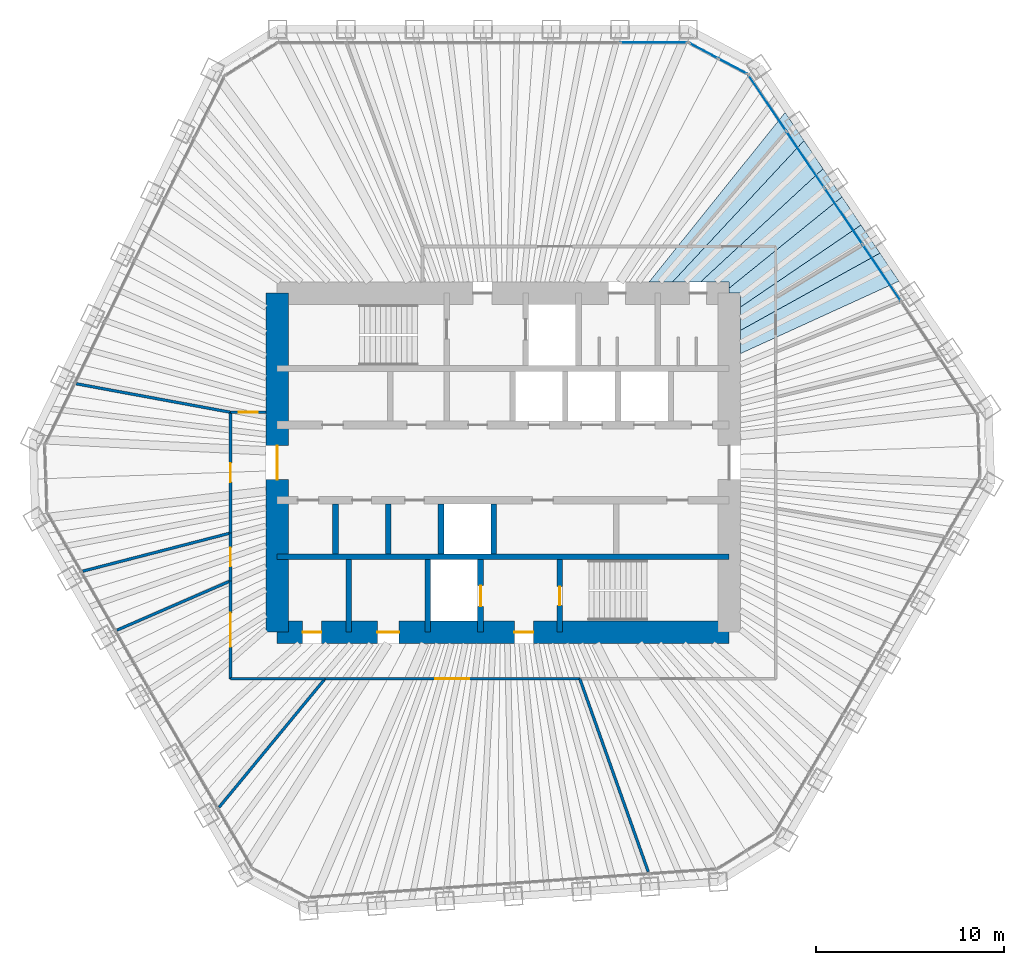
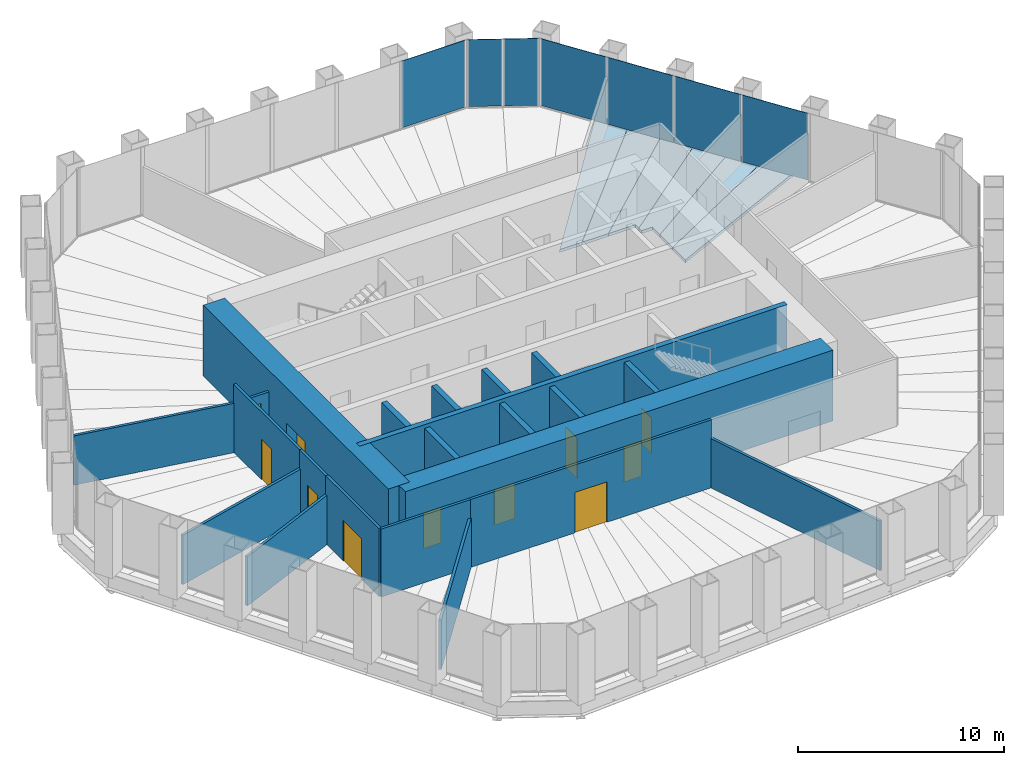
# One storey, part 10 of 13: 22 walls, 11 doors, 7 plates, 6 slabs, 11 openings, 3 elements without a shape of their own.
"""IFC4 building model written with IfcOpenShell, lengths in metres."""

from ifc_helpers import new_model, si_unit, direction, frame, frame_2d, origin, origin_2d, place, context, subcontext, project, spatial, polyline, rectangle, outline, extrude, material, layer, layer_set, type_object, element, fill, aggregate, save


model = new_model("IFC4")

# Units and contexts
model_context = context("Model", 3, precision=1e-05, world=origin(), true_north=direction((0.0, 1.0)))
body_context = subcontext(model_context, "Body", "Model", "MODEL_VIEW")
ifc_project = project(units=[si_unit("LENGTHUNIT", "METRE"), si_unit("AREAUNIT", "SQUARE_METRE"), si_unit("VOLUMEUNIT", "CUBIC_METRE"), si_unit("PLANEANGLEUNIT", "RADIAN"), si_unit("MASSUNIT", "GRAM", prefix="KILO")], contexts=[model_context])

# Site, building, storey
site_placement = place(None, origin())
site = spatial("IfcSite", under=ifc_project, at=site_placement, CompositionType="ELEMENT")
building_placement = place(site_placement, origin())
building = spatial("IfcBuilding", under=site, at=building_placement, Name="Qingtian Harvest Tower", CompositionType="ELEMENT")
storey_placement = place(building_placement, frame((0.0, 0.0, 247.60009765625)))
storey = spatial("IfcBuildingStorey", under=building, at=storey_placement, Name="L54", CompositionType="ELEMENT", Elevation=247.60009765625)

# Slabs
ifc_material_1 = material(Name="Concrete fc' 35 MPa", Category="concrete")
ifc_layer_1 = layer(ifc_material_1, 0.169921875)
ifc_layer_set_1 = layer_set([ifc_layer_1], Name="Composite floor slab FS17 170")
slab_type = type_object("IfcSlabType", Name="Composite floor slab FS17 170", PredefinedType="FLOOR", material=ifc_layer_set_1)
slab_1_placement = place(storey_placement, frame((0.0, 0.0, -0.170166015625)))
element("IfcSlab", 1, at=slab_1_placement, inside=storey, type_object=slab_type, Name="Floor slab L54 panel D45", PredefinedType="FLOOR", context=body_context, shape_type="SweptSolid", body=[
    extrude(outline(polyline([(12.60009765625, 7.023681640625), (20.003662109375, 11.125244140625), (21.010986328125, 9.6318359375), (12.60009765625, 5.7900390625), (12.60009765625, 7.023681640625)])), origin(), (0.0, 0.0, 1.0), 0.170166015625),
])
slab_2_placement = place(storey_placement, frame((0.0, 0.0, -0.170166015625)))
element("IfcSlab", 2, at=slab_2_placement, inside=storey, type_object=slab_type, Name="Floor slab L54 panel D46", PredefinedType="FLOOR", context=body_context, shape_type="SweptSolid", body=[
    extrude(outline(polyline([(12.60009765625, 8.260498046875), (18.997802734375, 12.61669921875), (20.003662109375, 11.125244140625), (12.60009765625, 7.023681640625), (12.60009765625, 8.260498046875)])), origin(), (0.0, 0.0, 1.0), 0.170166015625),
])
slab_3_placement = place(storey_placement, frame((0.0, 0.0, -0.170166015625)))
element("IfcSlab", 3, at=slab_3_placement, inside=storey, type_object=slab_type, Name="Floor slab L54 panel D47", PredefinedType="FLOOR", context=body_context, shape_type="SweptSolid", body=[
    extrude(outline(polyline([(12.60009765625, 9.0), (12.0, 9.0), (12.0, 9.2666015625), (17.99072265625, 14.109375), (18.997802734375, 12.61669921875), (12.60009765625, 8.260498046875), (12.60009765625, 9.0)])), origin(), (0.0, 0.0, 1.0), 0.170166015625),
])
slab_4_placement = place(storey_placement, frame((0.0, 0.0, -0.170166015625)))
element("IfcSlab", 4, at=slab_4_placement, inside=storey, type_object=slab_type, Name="Floor slab L54 panel D48", PredefinedType="FLOOR", context=body_context, shape_type="SweptSolid", body=[
    extrude(outline(polyline([(12.0, 9.60009765625), (10.48583984375, 9.60009765625), (16.982177734375, 15.604736328125), (17.99072265625, 14.109375), (12.0, 9.2666015625), (12.0, 9.60009765625)])), origin(), (0.0, 0.0, 1.0), 0.170166015625),
])
slab_5_placement = place(storey_placement, frame((0.0, 0.0, -0.170166015625)))
element("IfcSlab", 5, at=slab_5_placement, inside=storey, type_object=slab_type, Name="Floor slab L54 panel D49", PredefinedType="FLOOR", context=body_context, shape_type="SweptSolid", body=[
    extrude(outline(polyline([(8.998291015625, 9.60009765625), (15.974853515625, 17.098388671875), (16.982177734375, 15.604736328125), (10.48583984375, 9.60009765625), (8.998291015625, 9.60009765625)])), origin(), (0.0, 0.0, 1.0), 0.170166015625),
])
slab_6_placement = place(storey_placement, frame((0.0, 0.0, -0.170166015625)))
element("IfcSlab", 6, at=slab_6_placement, inside=storey, type_object=slab_type, Name="Floor slab L54 panel D50", PredefinedType="FLOOR", context=body_context, shape_type="SweptSolid", body=[
    extrude(outline(polyline([(7.751220703125, 9.60009765625), (14.967529296875, 18.591796875), (15.974853515625, 17.098388671875), (8.998291015625, 9.60009765625), (7.751220703125, 9.60009765625)])), origin(), (0.0, 0.0, 1.0), 0.170166015625),
])

# Curtain wall, plate
ifc_material_2 = material(Name="Bronze-anodised aluminium curtain wall", Category="aluminium")
curtain_wall_type = type_object("IfcCurtainWallType", Name="Curtain wall CW4 office", PredefinedType="USERDEFINED", material=ifc_material_2)
curtain_wall_1_placement = place(storey_placement, origin())
curtain_wall_1 = element("IfcCurtainWall", 7, at=curtain_wall_1_placement, inside=storey, type_object=curtain_wall_type, Name="Curtain wall CW4 L54 N0-5", ObjectType="RECESSED CURTAIN WALL", PredefinedType="USERDEFINED")
ifc_material_3 = material(Name="Bronze-tinted laminated insulating glass", Category="glass")
ifc_layer_2 = layer(ifc_material_3, 0.030029296875)
ifc_layer_set_2 = layer_set([ifc_layer_2], Name="Glazed panel CWP tinted IGU")
plate_type = type_object("IfcPlateType", Name="Glazed panel CWP tinted IGU", PredefinedType="CURTAIN_PANEL", material=ifc_layer_set_2)
plate_1_placement = place(storey_placement, frame((7.996337890625, 22.300048828125, 0.06494140625), z_axis=(0.0, 0.0, 1.0), x_axis=(1.0, 0.0, 0.0)))
plate_1 = element("IfcPlate", 8, at=plate_1_placement, type_object=plate_type, Name="CW4 panel 6.1", PredefinedType="CURTAIN_PANEL", context=body_context, shape_type="SweptSolid", body=[
    extrude(rectangle(XDim=3.5361328125, YDim=0.030029296875, at=origin_2d()), origin(), (0.0, 0.0, 1.0), 3.965087890625),
])
aggregate(curtain_wall_1, [plate_1])

# Curtain wall, plates
curtain_wall_2_placement = place(storey_placement, origin())
curtain_wall_2 = element("IfcCurtainWall", 9, at=curtain_wall_2_placement, inside=storey, type_object=curtain_wall_type, Name="Curtain wall CW4 L54 NC", ObjectType="RECESSED CURTAIN WALL", PredefinedType="USERDEFINED")
plate_2_placement = place(storey_placement, frame((10.634033203125, 21.8720703125, 0.06494140625), z_axis=(0.0, 0.0, 1.0), x_axis=(0.882947592859, -0.469471562786, 0.0)))
plate_2 = element("IfcPlate", 10, at=plate_2_placement, type_object=plate_type, Name="CW4 panel 1.1", PredefinedType="CURTAIN_PANEL", context=body_context, shape_type="SweptSolid", body=[
    extrude(rectangle(XDim=1.69287109375, YDim=0.030029296875, at=origin_2d()), origin(), (0.0, 0.0, 1.0), 3.965087890625),
])
plate_3_placement = place(storey_placement, frame((12.186279296875, 21.046875, 0.06494140625), z_axis=(0.0, 0.0, 1.0), x_axis=(0.882947592859, -0.469471562786, 0.0)))
plate_3 = element("IfcPlate", 11, at=plate_3_placement, type_object=plate_type, Name="CW4 panel 2.1", PredefinedType="CURTAIN_PANEL", context=body_context, shape_type="SweptSolid", body=[
    extrude(rectangle(XDim=1.69287109375, YDim=0.030029296875, at=origin_2d()), origin(), (0.0, 0.0, 1.0), 3.965087890625),
])
aggregate(curtain_wall_2, [plate_2, plate_3])

curtain_wall_3_placement = place(storey_placement, origin())
curtain_wall_3 = element("IfcCurtainWall", 12, at=curtain_wall_3_placement, inside=storey, type_object=curtain_wall_type, Name="Curtain wall CW4 L54 NE0-5", ObjectType="RECESSED CURTAIN WALL", PredefinedType="USERDEFINED")
plate_4_placement = place(storey_placement, frame((14.01611328125, 19.09912109375, 0.06494140625), z_axis=(0.0, 0.0, 1.0), x_axis=(0.559192903471, -0.829037572555, 0.0)))
plate_4 = element("IfcPlate", 13, at=plate_4_placement, type_object=plate_type, Name="CW4 panel 1.1", PredefinedType="CURTAIN_PANEL", context=body_context, shape_type="SweptSolid", body=[
    extrude(rectangle(XDim=3.5361328125, YDim=0.030029296875, at=origin_2d()), origin(), (0.0, 0.0, 1.0), 3.965087890625),
])
plate_5_placement = place(storey_placement, frame((16.038818359375, 16.100341796875, 0.06494140625), z_axis=(0.0, 0.0, 1.0), x_axis=(0.559192903471, -0.829037572555, 0.0)))
plate_5 = element("IfcPlate", 14, at=plate_5_placement, type_object=plate_type, Name="CW4 panel 2.1", PredefinedType="CURTAIN_PANEL", context=body_context, shape_type="SweptSolid", body=[
    extrude(rectangle(XDim=3.568603515625, YDim=0.030029296875, at=origin_2d()), origin(), (0.0, 0.0, 1.0), 3.965087890625),
])
plate_6_placement = place(storey_placement, frame((18.07080078125, 13.087890625, 0.06494140625), z_axis=(0.0, 0.0, 1.0), x_axis=(0.559192903471, -0.829037572555, 0.0)))
plate_6 = element("IfcPlate", 15, at=plate_6_placement, type_object=plate_type, Name="CW4 panel 3.1", PredefinedType="CURTAIN_PANEL", context=body_context, shape_type="SweptSolid", body=[
    extrude(rectangle(XDim=3.568603515625, YDim=0.030029296875, at=origin_2d()), origin(), (0.0, 0.0, 1.0), 3.965087890625),
])
plate_7_placement = place(storey_placement, frame((20.1025390625, 10.07568359375, 0.06494140625), z_axis=(0.0, 0.0, 1.0), x_axis=(0.559192903471, -0.829037572555, 0.0)))
plate_7 = element("IfcPlate", 16, at=plate_7_placement, type_object=plate_type, Name="CW4 panel 4.1", PredefinedType="CURTAIN_PANEL", context=body_context, shape_type="SweptSolid", body=[
    extrude(rectangle(XDim=3.568603515625, YDim=0.030029296875, at=origin_2d()), origin(), (0.0, 0.0, 1.0), 3.965087890625),
])
aggregate(curtain_wall_3, [plate_4, plate_5, plate_6, plate_7])

# Walls
ifc_material_4 = material(Name="Concrete fc' 70 MPa", Category="concrete")
ifc_layer_3 = layer(ifc_material_4, 0.300048828125)
ifc_layer_set_3 = layer_set([ifc_layer_3], Name="Core inner wall RC5 300")
wall_type_1 = type_object("IfcWallType", Name="Core inner wall RC5 300", PredefinedType="SHEAR", material=ifc_layer_set_3)
wall_1_placement = place(storey_placement, frame((-12.0, -5.0, 0.0), z_axis=(0.0, 0.0, 1.0), x_axis=(1.0, 0.0, 0.0)))
element("IfcWall", 17, at=wall_1_placement, inside=storey, type_object=wall_type_1, Name="Core wall IS5 L54", PredefinedType="SHEAR", context=body_context, shape_type="SweptSolid", body=[
    extrude(rectangle(XDim=24.0, YDim=0.300048828125, at=frame_2d((12.0, 0.0))), origin(), (0.0, 0.0, 1.0), 4.199951171875),
])
ifc_material_5 = material(Name="Precast concrete shaft panel", Category="concrete")
ifc_layer_4 = layer(ifc_material_5, 0.300048828125)
ifc_layer_set_4 = layer_set([ifc_layer_4], Name="Core shaft partition SW1 300")
wall_type_2 = type_object("IfcWallType", Name="Core shaft partition SW1 300", PredefinedType="PARTITIONING", material=ifc_layer_set_4)
for number, where, z_axis, x_axis, name in (
    (18, (-8.89990234375, -4.85009765625, 0.0), (0.0, 0.0, 1.0), (0.0, 1.0, 0.0), "Core shaft partition XB1 L54"),
    (19, (-6.10009765625, -4.85009765625, 0.0), (0.0, 0.0, 1.0), (0.0, 1.0, 0.0), "Core shaft partition XB2 L54"),
    (20, (-3.300048828125, -4.85009765625, 0.0), (0.0, 0.0, 1.0), (0.0, 1.0, 0.0), "Core shaft partition XB3 L54"),
    (21, (-0.5, -4.85009765625, 0.0), (0.0, 0.0, 1.0), (0.0, 1.0, 0.0), "Core shaft partition XB4 L54"),
):
    element("IfcWall", number, at=place(storey_placement, frame(where, z_axis=z_axis, x_axis=x_axis)), inside=storey, type_object=wall_type_2, Name=name, PredefinedType="PARTITIONING", context=body_context, shape_type="SweptSolid", body=[
        extrude(rectangle(XDim=2.650146484375, YDim=0.300048828125, at=frame_2d((1.3251953125, 0.0))), origin(), (0.0, 0.0, 1.0), 3.97998046875),
    ])
for number, where, z_axis, x_axis, name in (
    (22, (-8.199951171875, -9.0, 0.0), (0.0, 0.0, 1.0), (0.0, 1.0, 0.0), "Core shaft partition XS1 L54"),
    (23, (-4.0, -9.0, 0.0), (0.0, 0.0, 1.0), (0.0, 1.0, 0.0), "Core shaft partition XS2 L54"),
):
    element("IfcWall", number, at=place(storey_placement, frame(where, z_axis=z_axis, x_axis=x_axis)), inside=storey, type_object=wall_type_2, Name=name, PredefinedType="PARTITIONING", context=body_context, shape_type="SweptSolid", body=[
        extrude(rectangle(XDim=3.85009765625, YDim=0.300048828125, at=frame_2d((1.925048828125, 0.0))), origin(), (0.0, 0.0, 1.0), 3.97998046875),
    ])

# Wall, opening, door
wall_2_placement = place(storey_placement, frame((-1.199951171875, -9.0, 0.0), z_axis=(0.0, 0.0, 1.0), x_axis=(0.0, 1.0, 0.0)))
wall_2 = element("IfcWall", 24, at=wall_2_placement, inside=storey, type_object=wall_type_2, Name="Core shaft partition XS3 L54", PredefinedType="PARTITIONING", context=body_context, shape_type="SweptSolid", body=[
    extrude(rectangle(XDim=3.85009765625, YDim=0.300048828125, at=frame_2d((1.925048828125, 0.0))), origin(), (0.0, 0.0, 1.0), 3.97998046875),
])
opening_1_placement = place(wall_2_placement, frame((1.375, 0.0, 0.0)))
opening_1 = element("IfcOpeningElement", 25, at=opening_1_placement, cuts=wall_2, Name="Opening LD1", PredefinedType="OPENING", context=body_context, shape_type="SweptSolid", body=[
    extrude(rectangle(XDim=1.10009765625, YDim=2.39990234375, at=frame_2d((0.550048828125, 1.199951171875))), frame((0.0, 0.159912109375, 0.0), z_axis=(0.0, -1.0, 0.0), x_axis=(1.0, 0.0, 0.0)), (0.0, 0.0, 1.0), 0.320068359375),
])
ifc_material_6 = material(Name="Stainless steel lift landing door", Category="steel")
door_type_1 = type_object("IfcDoorType", Name="Lift landing door LD1 1 HR", OperationType="DOUBLE_DOOR_SLIDING", PredefinedType="DOOR", material=ifc_material_6)
door_1_placement = place(opening_1_placement, origin())
door_1 = element("IfcDoor", 26, at=door_1_placement, inside=storey, type_object=door_type_1, Name="FL2 landing door L54", OperationType="DOUBLE_DOOR_SLIDING", OverallHeight=2.39990234375, OverallWidth=1.10009765625, PredefinedType="DOOR", context=body_context, shape_type="SweptSolid", body=[
    extrude(rectangle(XDim=1.10009765625, YDim=2.39990234375, at=frame_2d((0.550048828125, 1.199951171875))), frame((0.0, 0.02490234375, 0.0), z_axis=(0.0, -1.0, 0.0), x_axis=(1.0, 0.0, 0.0)), (0.0, 0.0, 1.0), 0.050048828125),
])
fill(opening_1, door_1)

wall_3_placement = place(storey_placement, frame((3.0, -9.0, 0.0), z_axis=(0.0, 0.0, 1.0), x_axis=(0.0, 1.0, 0.0)))
wall_3 = element("IfcWall", 27, at=wall_3_placement, inside=storey, type_object=wall_type_2, Name="Core shaft partition XS4 L54", PredefinedType="PARTITIONING", context=body_context, shape_type="SweptSolid", body=[
    extrude(rectangle(XDim=3.85009765625, YDim=0.300048828125, at=frame_2d((1.925048828125, 0.0))), origin(), (0.0, 0.0, 1.0), 3.97998046875),
])
opening_2_placement = place(wall_3_placement, frame((1.425048828125, 0.0, 0.0)))
opening_2 = element("IfcOpeningElement", 28, at=opening_2_placement, cuts=wall_3, Name="Opening FD1", PredefinedType="OPENING", context=body_context, shape_type="SweptSolid", body=[
    extrude(rectangle(XDim=1.0, YDim=2.10009765625, at=frame_2d((0.5, 1.050048828125))), frame((0.0, 0.159912109375, 0.0), z_axis=(0.0, -1.0, 0.0), x_axis=(1.0, 0.0, 0.0)), (0.0, 0.0, 1.0), 0.320068359375),
])
ifc_material_7 = material(Name="Steel-faced door leaf", Category="steel")
door_type_2 = type_object("IfcDoorType", Name="Fire door FD1 single 1 HR", OperationType="SINGLE_SWING_LEFT", PredefinedType="DOOR", material=ifc_material_7)
door_2_placement = place(opening_2_placement, origin())
door_2 = element("IfcDoor", 29, at=door_2_placement, inside=storey, type_object=door_type_2, Name="S2 door L54", OperationType="SINGLE_SWING_LEFT", OverallHeight=2.10009765625, OverallWidth=1.0, PredefinedType="DOOR", context=body_context, shape_type="SweptSolid", body=[
    extrude(rectangle(XDim=1.0, YDim=2.10009765625, at=frame_2d((0.5, 1.050048828125))), frame((0.0, 0.02490234375, 0.0), z_axis=(0.0, -1.0, 0.0), x_axis=(1.0, 0.0, 0.0)), (0.0, 0.0, 1.0), 0.050048828125),
])
fill(opening_2, door_2)

# Wall, openings, doors
ifc_material_8 = material(Name="Concrete fc' 70 MPa", Category="concrete")
ifc_layer_5 = layer(ifc_material_8, 1.199951171875)
ifc_layer_set_5 = layer_set([ifc_layer_5], Name="Core wall RC2 1200")
wall_type_3 = type_object("IfcWallType", Name="Core wall RC2 1200", PredefinedType="SHEAR", material=ifc_layer_set_5)
wall_4_placement = place(storey_placement, frame((-12.0, -9.0, 0.0), z_axis=(0.0, 0.0, 1.0), x_axis=(1.0, 0.0, 0.0)))
wall_4 = element("IfcWall", 30, at=wall_4_placement, inside=storey, type_object=wall_type_3, Name="Core wall CS L54", PredefinedType="SHEAR", context=body_context, shape_type="SweptSolid", body=[
    extrude(rectangle(XDim=24.0, YDim=1.199951171875, at=frame_2d((12.0, 0.0))), origin(), (0.0, 0.0, 1.0), 4.199951171875),
])
opening_3_placement = place(wall_4_placement, frame((1.35009765625, 0.0, 0.0)))
opening_3 = element("IfcOpeningElement", 31, at=opening_3_placement, cuts=wall_4, Name="Opening FD1", PredefinedType="OPENING", context=body_context, shape_type="SweptSolid", body=[
    extrude(rectangle(XDim=1.0, YDim=2.10009765625, at=frame_2d((0.5, 1.050048828125))), frame((0.0, 0.60986328125, 0.0), z_axis=(0.0, -1.0, 0.0), x_axis=(1.0, 0.0, 0.0)), (0.0, 0.0, 1.0), 1.219970703125),
])
opening_4_placement = place(wall_4_placement, frame((5.324951171875, 0.0, 0.0)))
opening_4 = element("IfcOpeningElement", 32, at=opening_4_placement, cuts=wall_4, Name="Opening AD1", PredefinedType="OPENING", context=body_context, shape_type="SweptSolid", body=[
    extrude(rectangle(XDim=1.14990234375, YDim=2.10009765625, at=frame_2d((0.574951171875, 1.050048828125))), frame((0.0, 0.60986328125, 0.0), z_axis=(0.0, -1.0, 0.0), x_axis=(1.0, 0.0, 0.0)), (0.0, 0.0, 1.0), 1.219970703125),
])
opening_5_placement = place(wall_4_placement, frame((12.60009765625, 0.0, 0.0)))
opening_5 = element("IfcOpeningElement", 33, at=opening_5_placement, cuts=wall_4, Name="Opening FD1", PredefinedType="OPENING", context=body_context, shape_type="SweptSolid", body=[
    extrude(rectangle(XDim=1.0, YDim=2.10009765625, at=frame_2d((0.5, 1.050048828125))), frame((0.0, 0.60986328125, 0.0), z_axis=(0.0, -1.0, 0.0), x_axis=(1.0, 0.0, 0.0)), (0.0, 0.0, 1.0), 1.219970703125),
])
ifc_material_9 = material(Name="Laminated timber door leaf", Category="wood")
door_type_3 = type_object("IfcDoorType", Name="Accessible WC door AD1 single", OperationType="SINGLE_SWING_LEFT", PredefinedType="DOOR", material=ifc_material_9)
door_3_placement = place(opening_4_placement, origin())
door_3 = element("IfcDoor", 34, at=door_3_placement, inside=storey, type_object=door_type_3, Name="AWC door L54", OperationType="SINGLE_SWING_LEFT", OverallHeight=2.10009765625, OverallWidth=1.14990234375, PredefinedType="DOOR", context=body_context, shape_type="SweptSolid", body=[
    extrude(rectangle(XDim=1.14990234375, YDim=2.10009765625, at=frame_2d((0.574951171875, 1.050048828125))), frame((0.0, 0.02490234375, 0.0), z_axis=(0.0, -1.0, 0.0), x_axis=(1.0, 0.0, 0.0)), (0.0, 0.0, 1.0), 0.050048828125),
])
fill(opening_4, door_3)
door_4_placement = place(opening_3_placement, origin())
door_4 = element("IfcDoor", 35, at=door_4_placement, inside=storey, type_object=door_type_2, Name="CLN door L54", OperationType="SINGLE_SWING_LEFT", OverallHeight=2.10009765625, OverallWidth=1.0, PredefinedType="DOOR", context=body_context, shape_type="SweptSolid", body=[
    extrude(rectangle(XDim=1.0, YDim=2.10009765625, at=frame_2d((0.5, 1.050048828125))), frame((0.0, 0.02490234375, 0.0), z_axis=(0.0, -1.0, 0.0), x_axis=(1.0, 0.0, 0.0)), (0.0, 0.0, 1.0), 0.050048828125),
])
fill(opening_3, door_4)
door_5_placement = place(opening_5_placement, origin())
door_5 = element("IfcDoor", 36, at=door_5_placement, inside=storey, type_object=door_type_2, Name="V2 door L54", OperationType="SINGLE_SWING_RIGHT", OverallHeight=2.10009765625, OverallWidth=1.0, PredefinedType="DOOR", context=body_context, shape_type="SweptSolid", body=[
    extrude(rectangle(XDim=1.0, YDim=2.10009765625, at=frame_2d((0.5, 1.050048828125))), frame((0.0, 0.02490234375, 0.0), z_axis=(0.0, -1.0, 0.0), x_axis=(1.0, 0.0, 0.0)), (0.0, 0.0, 1.0), 0.050048828125),
])
fill(opening_5, door_5)

# Wall, opening, door
wall_5_placement = place(storey_placement, frame((-12.0, -9.0, 0.0), z_axis=(0.0, 0.0, 1.0), x_axis=(0.0, 1.0, 0.0)))
wall_5 = element("IfcWall", 37, at=wall_5_placement, inside=storey, type_object=wall_type_3, Name="Core wall CW L54", PredefinedType="SHEAR", context=body_context, shape_type="SweptSolid", body=[
    extrude(rectangle(XDim=18.0, YDim=1.199951171875, at=frame_2d((9.0, 0.0))), origin(), (0.0, 0.0, 1.0), 4.199951171875),
])
opening_6_placement = place(wall_5_placement, frame((8.10009765625, 0.0, 0.0)))
opening_6 = element("IfcOpeningElement", 38, at=opening_6_placement, cuts=wall_5, Name="Opening FD2", PredefinedType="OPENING", context=body_context, shape_type="SweptSolid", body=[
    extrude(rectangle(XDim=1.800048828125, YDim=2.10009765625, at=frame_2d((0.89990234375, 1.050048828125))), frame((0.0, 0.60986328125, 0.0), z_axis=(0.0, -1.0, 0.0), x_axis=(1.0, 0.0, 0.0)), (0.0, 0.0, 1.0), 1.219970703125),
])
ifc_material_10 = material(Name="Steel-faced door leaf", Category="steel")
door_type_4 = type_object("IfcDoorType", Name="Fire door FD2 double 1 HR", OperationType="DOUBLE_DOOR_DOUBLE_SWING", PredefinedType="DOOR", material=ifc_material_10)
door_6_placement = place(opening_6_placement, origin())
door_6 = element("IfcDoor", 39, at=door_6_placement, inside=storey, type_object=door_type_4, Name="LOBBY-W door L54", OperationType="DOUBLE_DOOR_DOUBLE_SWING", OverallHeight=2.10009765625, OverallWidth=1.800048828125, PredefinedType="DOOR", context=body_context, shape_type="SweptSolid", body=[
    extrude(rectangle(XDim=1.800048828125, YDim=2.10009765625, at=frame_2d((0.89990234375, 1.050048828125))), frame((0.0, 0.02490234375, 0.0), z_axis=(0.0, -1.0, 0.0), x_axis=(1.0, 0.0, 0.0)), (0.0, 0.0, 1.0), 0.050048828125),
])
fill(opening_6, door_6)

# Wall
ifc_material_11 = material(Name="Gypsum board on steel studs", Category="steel")
ifc_layer_6 = layer(ifc_material_11, 0.14990234375)
ifc_layer_set_6 = layer_set([ifc_layer_6], Name="Partition PT1 150")
wall_type_4 = type_object("IfcWallType", Name="Partition PT1 150", PredefinedType="PARTITIONING", material=ifc_layer_set_6)
wall_6_placement = place(storey_placement, frame((7.702880859375, -21.71923828125, 0.0), z_axis=(0.0, 0.0, 1.0), x_axis=(-0.334269551553, 0.942477515331, 0.0)))
element("IfcWall", 40, at=wall_6_placement, inside=storey, type_object=wall_type_4, Name="Office suite wall L54", PredefinedType="PARTITIONING", context=body_context, shape_type="SweptSolid", body=[
    extrude(rectangle(XDim=10.869384765625, YDim=0.14990234375, at=frame_2d((5.4345703125, 0.0))), origin(), (0.0, 0.0, 1.0), 2.929931640625),
])

# Wall, opening, door
wall_7_placement = place(storey_placement, frame((4.069580078125, -11.47509765625, 0.0), z_axis=(0.0, 0.0, 1.0), x_axis=(-1.0, 0.0, 0.0)))
wall_7 = element("IfcWall", 41, at=wall_7_placement, inside=storey, type_object=wall_type_4, Name="Office suite wall L54", PredefinedType="PARTITIONING", context=body_context, shape_type="SweptSolid", body=[
    extrude(rectangle(XDim=13.5283203125, YDim=0.14990234375, at=frame_2d((6.76416015625, 0.0))), origin(), (0.0, 0.0, 1.0), 4.02978515625),
])
opening_7_placement = place(wall_7_placement, frame((5.8642578125, 0.0, 0.0)))
opening_7 = element("IfcOpeningElement", 42, at=opening_7_placement, cuts=wall_7, Name="Opening D3", PredefinedType="OPENING", context=body_context, shape_type="SweptSolid", body=[
    extrude(rectangle(XDim=1.800048828125, YDim=2.39990234375, at=frame_2d((0.89990234375, 1.199951171875))), frame((0.0, 0.0849609375, 0.0), z_axis=(0.0, -1.0, 0.0), x_axis=(1.0, 0.0, 0.0)), (0.0, 0.0, 1.0), 0.169921875),
])
ifc_material_12 = material(Name="Laminated timber door leaf", Category="wood")
door_type_5 = type_object("IfcDoorType", Name="Room door D3 double", OperationType="DOUBLE_DOOR_DOUBLE_SWING", PredefinedType="DOOR", material=ifc_material_12)
door_7_placement = place(opening_7_placement, origin())
door_7 = element("IfcDoor", 43, at=door_7_placement, inside=storey, type_object=door_type_5, Name="Office suite door L54", OperationType="DOUBLE_DOOR_DOUBLE_SWING", OverallHeight=2.39990234375, OverallWidth=1.800048828125, PredefinedType="DOOR", context=body_context, shape_type="SweptSolid", body=[
    extrude(rectangle(XDim=1.800048828125, YDim=2.39990234375, at=frame_2d((0.89990234375, 1.199951171875))), frame((0.0, 0.02490234375, 0.0), z_axis=(0.0, -1.0, 0.0), x_axis=(1.0, 0.0, 0.0)), (0.0, 0.0, 1.0), 0.050048828125),
])
fill(opening_7, door_7)

# Walls
wall_8_placement = place(storey_placement, frame((-15.07958984375, -18.294189453125, 0.0), z_axis=(0.0, 0.0, 1.0), x_axis=(0.636052894953, 0.771645459277, 0.0)))
element("IfcWall", 44, at=wall_8_placement, inside=storey, type_object=wall_type_4, Name="Meeting room wall L54", PredefinedType="PARTITIONING", context=body_context, shape_type="SweptSolid", body=[
    extrude(rectangle(XDim=8.837158203125, YDim=0.14990234375, at=frame_2d((4.41845703125, 0.0))), origin(), (0.0, 0.0, 1.0), 2.929931640625),
])
wall_9_placement = place(storey_placement, frame((-9.458740234375, -11.47509765625, 0.0), z_axis=(0.0, 0.0, 1.0), x_axis=(-1.0, 0.0, 0.0)))
element("IfcWall", 45, at=wall_9_placement, inside=storey, type_object=wall_type_4, Name="Meeting room wall L54", PredefinedType="PARTITIONING", context=body_context, shape_type="SweptSolid", body=[
    extrude(rectangle(XDim=5.016357421875, YDim=0.14990234375, at=frame_2d((2.50830078125, 0.0))), origin(), (0.0, 0.0, 1.0), 4.02978515625),
])

# Wall, opening, door
wall_10_placement = place(storey_placement, frame((-14.47509765625, -11.47509765625, 0.0), z_axis=(0.0, 0.0, 1.0), x_axis=(0.0, 1.0, 0.0)))
wall_10 = element("IfcWall", 46, at=wall_10_placement, inside=storey, type_object=wall_type_4, Name="Meeting room wall L54", PredefinedType="PARTITIONING", context=body_context, shape_type="SweptSolid", body=[
    extrude(rectangle(XDim=5.197509765625, YDim=0.14990234375, at=frame_2d((2.5986328125, 0.0))), origin(), (0.0, 0.0, 1.0), 4.02978515625),
])
opening_8_placement = place(wall_10_placement, frame((1.69873046875, 0.0, 0.0)))
opening_8 = element("IfcOpeningElement", 47, at=opening_8_placement, cuts=wall_10, Name="Opening D3", PredefinedType="OPENING", context=body_context, shape_type="SweptSolid", body=[
    extrude(rectangle(XDim=1.800048828125, YDim=2.39990234375, at=frame_2d((0.89990234375, 1.199951171875))), frame((0.0, 0.0849609375, 0.0), z_axis=(0.0, -1.0, 0.0), x_axis=(1.0, 0.0, 0.0)), (0.0, 0.0, 1.0), 0.169921875),
])
door_8_placement = place(opening_8_placement, origin())
door_8 = element("IfcDoor", 48, at=door_8_placement, inside=storey, type_object=door_type_5, Name="Meeting room door L54", OperationType="DOUBLE_DOOR_DOUBLE_SWING", OverallHeight=2.39990234375, OverallWidth=1.800048828125, PredefinedType="DOOR", context=body_context, shape_type="SweptSolid", body=[
    extrude(rectangle(XDim=1.800048828125, YDim=2.39990234375, at=frame_2d((0.89990234375, 1.199951171875))), frame((0.0, 0.02490234375, 0.0), z_axis=(0.0, -1.0, 0.0), x_axis=(1.0, 0.0, 0.0)), (0.0, 0.0, 1.0), 0.050048828125),
])
fill(opening_8, door_8)

# Wall
wall_11_placement = place(storey_placement, frame((-20.501708984375, -8.891357421875, 0.0), z_axis=(0.0, 0.0, 1.0), x_axis=(0.917431289744, 0.397894242982, 0.0)))
element("IfcWall", 49, at=wall_11_placement, inside=storey, type_object=wall_type_4, Name="Focus room wall L54", PredefinedType="PARTITIONING", context=body_context, shape_type="SweptSolid", body=[
    extrude(rectangle(XDim=6.569091796875, YDim=0.14990234375, at=frame_2d((3.28466796875, 0.0))), origin(), (0.0, 0.0, 1.0), 2.929931640625),
])

# Wall, opening, door
wall_12_placement = place(storey_placement, frame((-14.47509765625, -6.277587890625, 0.0), z_axis=(0.0, 0.0, 1.0), x_axis=(0.0, 1.0, 0.0)))
wall_12 = element("IfcWall", 50, at=wall_12_placement, inside=storey, type_object=wall_type_4, Name="Focus room wall L54", PredefinedType="PARTITIONING", context=body_context, shape_type="SweptSolid", body=[
    extrude(rectangle(XDim=2.54150390625, YDim=0.14990234375, at=frame_2d((1.270751953125, 0.0))), origin(), (0.0, 0.0, 1.0), 4.02978515625),
])
opening_9_placement = place(wall_12_placement, frame((0.770751953125, 0.0, 0.0)))
opening_9 = element("IfcOpeningElement", 51, at=opening_9_placement, cuts=wall_12, Name="Opening D2", PredefinedType="OPENING", context=body_context, shape_type="SweptSolid", body=[
    extrude(rectangle(XDim=1.0, YDim=2.39990234375, at=frame_2d((0.5, 1.199951171875))), frame((0.0, 0.0849609375, 0.0), z_axis=(0.0, -1.0, 0.0), x_axis=(1.0, 0.0, 0.0)), (0.0, 0.0, 1.0), 0.169921875),
])
ifc_material_13 = material(Name="Laminated timber door leaf", Category="wood")
door_type_6 = type_object("IfcDoorType", Name="Room door D2 single", OperationType="SINGLE_SWING_LEFT", PredefinedType="DOOR", material=ifc_material_13)
door_9_placement = place(opening_9_placement, origin())
door_9 = element("IfcDoor", 52, at=door_9_placement, inside=storey, type_object=door_type_6, Name="Focus room door L54", OperationType="SINGLE_SWING_RIGHT", OverallHeight=2.39990234375, OverallWidth=1.0, PredefinedType="DOOR", context=body_context, shape_type="SweptSolid", body=[
    extrude(rectangle(XDim=1.0, YDim=2.39990234375, at=frame_2d((0.5, 1.199951171875))), frame((0.0, 0.02490234375, 0.0), z_axis=(0.0, -1.0, 0.0), x_axis=(1.0, 0.0, 0.0)), (0.0, 0.0, 1.0), 0.050048828125),
])
fill(opening_9, door_9)

# Wall
wall_13_placement = place(storey_placement, frame((-22.3134765625, -5.75927734375, 0.0), z_axis=(0.0, 0.0, 1.0), x_axis=(0.968265788926, 0.249922712042, 0.0)))
element("IfcWall", 53, at=wall_13_placement, inside=storey, type_object=wall_type_4, Name="Meeting room wall L54", PredefinedType="PARTITIONING", context=body_context, shape_type="SweptSolid", body=[
    extrude(rectangle(XDim=8.09521484375, YDim=0.14990234375, at=frame_2d((4.047607421875, 0.0))), origin(), (0.0, 0.0, 1.0), 2.929931640625),
])

# Wall, opening, door
wall_14_placement = place(storey_placement, frame((-14.47509765625, -3.736083984375, 0.0), z_axis=(0.0, 0.0, 1.0), x_axis=(0.0, 1.0, 0.0)))
wall_14 = element("IfcWall", 54, at=wall_14_placement, inside=storey, type_object=wall_type_4, Name="Meeting room wall L54", PredefinedType="PARTITIONING", context=body_context, shape_type="SweptSolid", body=[
    extrude(rectangle(XDim=6.411865234375, YDim=0.14990234375, at=frame_2d((3.2060546875, 0.0))), origin(), (0.0, 0.0, 1.0), 4.02978515625),
])
opening_10_placement = place(wall_14_placement, frame((2.705810546875, 0.0, 0.0)))
opening_10 = element("IfcOpeningElement", 55, at=opening_10_placement, cuts=wall_14, Name="Opening D2", PredefinedType="OPENING", context=body_context, shape_type="SweptSolid", body=[
    extrude(rectangle(XDim=1.0, YDim=2.39990234375, at=frame_2d((0.5, 1.199951171875))), frame((0.0, 0.0849609375, 0.0), z_axis=(0.0, -1.0, 0.0), x_axis=(1.0, 0.0, 0.0)), (0.0, 0.0, 1.0), 0.169921875),
])
door_10_placement = place(opening_10_placement, origin())
door_10 = element("IfcDoor", 56, at=door_10_placement, inside=storey, type_object=door_type_6, Name="Meeting room door L54", OperationType="SINGLE_SWING_RIGHT", OverallHeight=2.39990234375, OverallWidth=1.0, PredefinedType="DOOR", context=body_context, shape_type="SweptSolid", body=[
    extrude(rectangle(XDim=1.0, YDim=2.39990234375, at=frame_2d((0.5, 1.199951171875))), frame((0.0, 0.02490234375, 0.0), z_axis=(0.0, -1.0, 0.0), x_axis=(1.0, 0.0, 0.0)), (0.0, 0.0, 1.0), 0.050048828125),
])
fill(opening_10, door_10)

# Wall
wall_15_placement = place(storey_placement, frame((-22.660888671875, 4.188720703125, 0.0), z_axis=(0.0, 0.0, 1.0), x_axis=(0.983345347199, -0.181746879316, 0.0)))
element("IfcWall", 57, at=wall_15_placement, inside=storey, type_object=wall_type_4, Name="Office suite wall L54", PredefinedType="PARTITIONING", context=body_context, shape_type="SweptSolid", body=[
    extrude(rectangle(XDim=8.324462890625, YDim=0.14990234375, at=frame_2d((4.162109375, 0.0))), origin(), (0.0, 0.0, 1.0), 2.929931640625),
])

# Wall, opening, door
wall_16_placement = place(storey_placement, frame((-14.47509765625, 2.67578125, 0.0), z_axis=(0.0, 0.0, 1.0), x_axis=(1.0, 0.0, 0.0)))
wall_16 = element("IfcWall", 58, at=wall_16_placement, inside=storey, type_object=wall_type_4, Name="Office suite wall L54", PredefinedType="PARTITIONING", context=body_context, shape_type="SweptSolid", body=[
    extrude(rectangle(XDim=1.875, YDim=0.14990234375, at=frame_2d((0.9375, 0.0))), origin(), (0.0, 0.0, 1.0), 2.929931640625),
])
opening_11_placement = place(wall_16_placement, frame((0.4375, 0.0, 0.0)))
opening_11 = element("IfcOpeningElement", 59, at=opening_11_placement, cuts=wall_16, Name="Opening D2", PredefinedType="OPENING", context=body_context, shape_type="SweptSolid", body=[
    extrude(rectangle(XDim=1.0, YDim=2.39990234375, at=frame_2d((0.5, 1.199951171875))), frame((0.0, 0.0849609375, 0.0), z_axis=(0.0, -1.0, 0.0), x_axis=(1.0, 0.0, 0.0)), (0.0, 0.0, 1.0), 0.169921875),
])
door_11_placement = place(opening_11_placement, origin())
door_11 = element("IfcDoor", 60, at=door_11_placement, inside=storey, type_object=door_type_6, Name="Office suite door L54", OperationType="SINGLE_SWING_LEFT", OverallHeight=2.39990234375, OverallWidth=1.0, PredefinedType="DOOR", context=body_context, shape_type="SweptSolid", body=[
    extrude(rectangle(XDim=1.0, YDim=2.39990234375, at=frame_2d((0.5, 1.199951171875))), frame((0.0, 0.02490234375, 0.0), z_axis=(0.0, -1.0, 0.0), x_axis=(1.0, 0.0, 0.0)), (0.0, 0.0, 1.0), 0.050048828125),
])
fill(opening_11, door_11)

save(model, "model.ifc")
